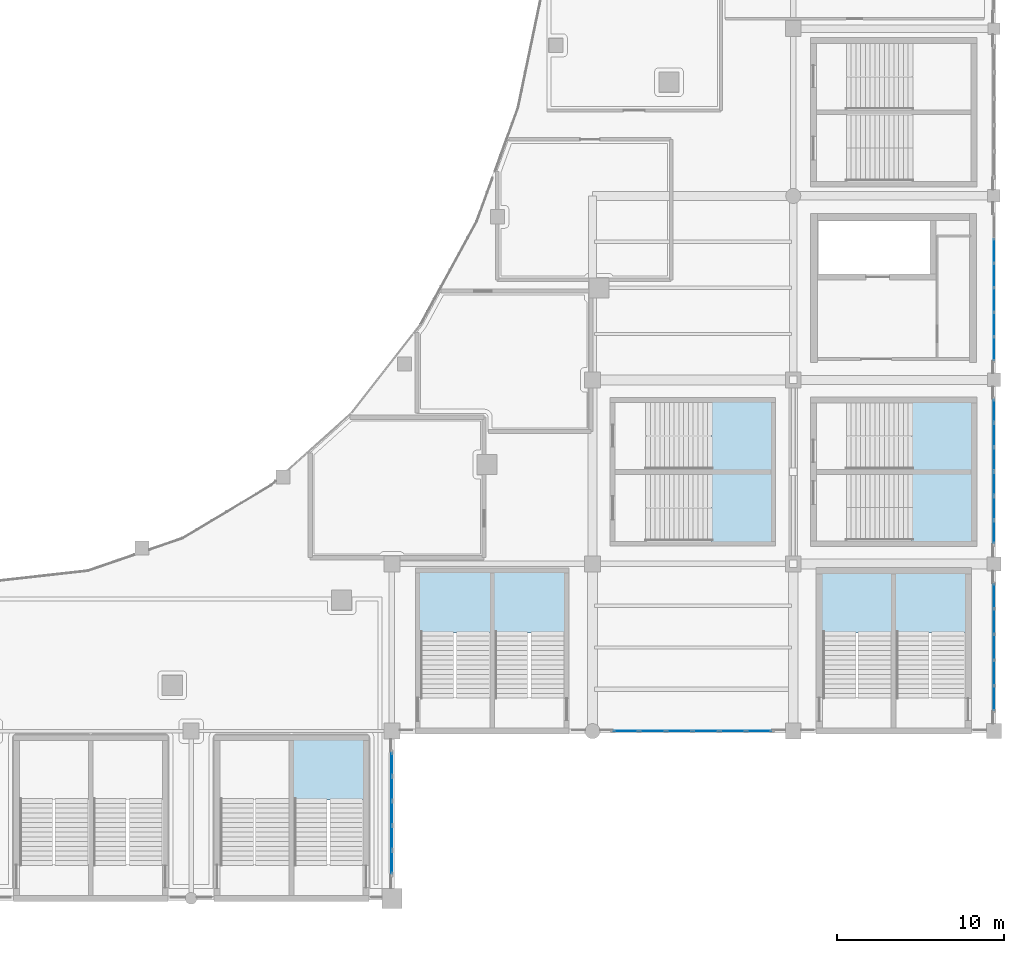
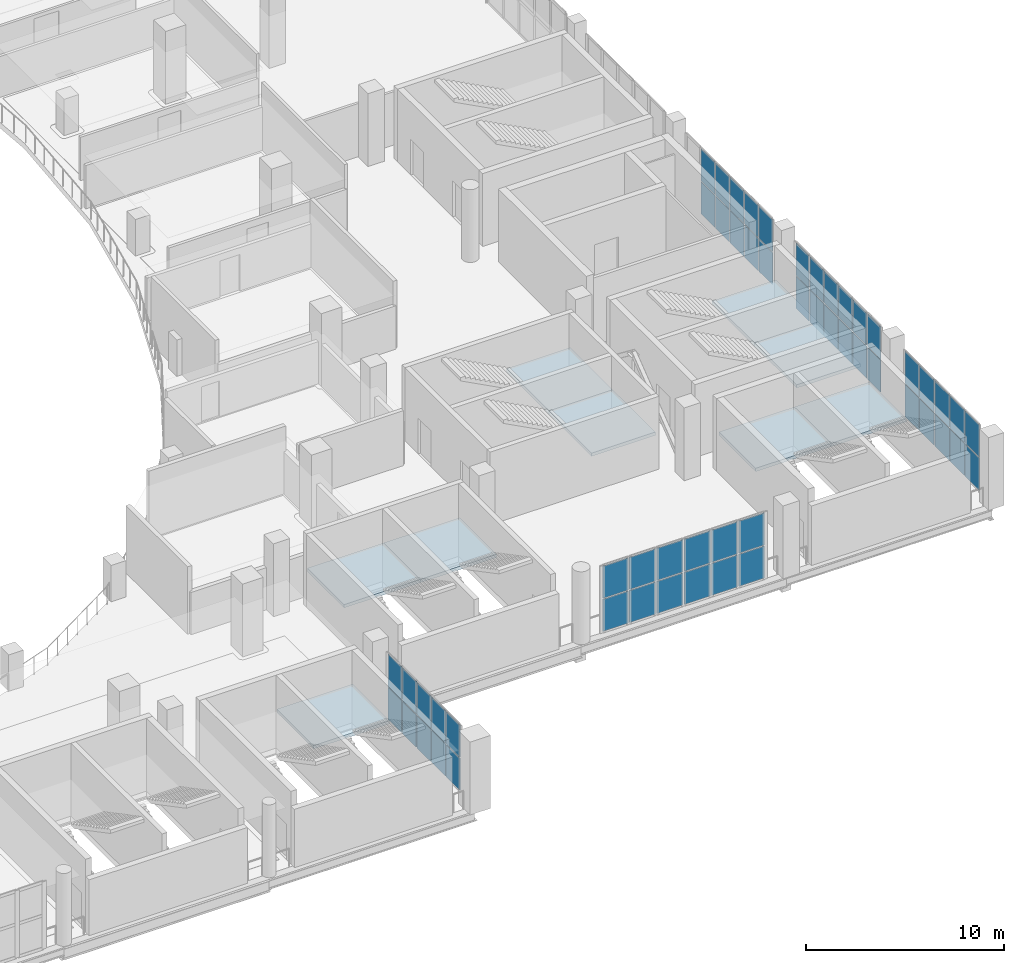
# One storey, part 56 of 90: 54 plates, 9 slabs, 14 elements without a shape of their own.
"""IFC4 building model written with IfcOpenShell, lengths in metres."""

import ifcopenshell
import ifcopenshell.guid

model = None  # the IFC model being written
_history = None  # IfcOwnerHistory: only IFC2X3 demands one
_inside = {}  # id of a spatial element -> (the spatial element, [elements in it])
_under = {}  # id of a project, library or spatial element -> (it, [spatial elements below it])
_declared = {}  # id of a project -> (the project, [libraries it declares])
_typed = {}  # id of a type object -> (the type object, [elements of that type])
_made_of = {}  # id of a material, layer set ... -> (it, [elements and type objects made of it])


def new_model(schema):
    """Start an empty IFC model of exactly this schema.

    Asked for "IFC4X3", IfcOpenShell would pick the latest addendum, in which some entities
    have other attributes; the version numbers below select the first issue.
    IFC2X3 requires an IfcOwnerHistory on every rooted entity: one is made here for all.
    """
    global model, _history
    if schema == "IFC4X3":
        model = ifcopenshell.file(schema_version=(4, 3, 0, 0))
    else:
        model = ifcopenshell.file(schema=schema)
    _inside.clear()
    _under.clear()
    _declared.clear()
    _typed.clear()
    _made_of.clear()
    _history = None
    if model.schema == "IFC2X3":
        org = make("IfcOrganization", Name="unknown")
        user = make(
            "IfcPersonAndOrganization",
            ThePerson=make("IfcPerson", FamilyName="unknown"),
            TheOrganization=org,
        )
        app = make(
            "IfcApplication",
            ApplicationDeveloper=org,
            Version="unknown",
            ApplicationFullName="unknown",
            ApplicationIdentifier="unknown",
        )
        _history = make(
            "IfcOwnerHistory",
            OwningUser=user,
            OwningApplication=app,
            ChangeAction="ADDED",
            CreationDate=0,
        )
    return model


def make(cls, **values):
    """One entity of the class cls with the attributes given. An attribute that is None is left unset."""
    return model.create_entity(
        cls, **{name: value for name, value in values.items() if value is not None}
    )


def rooted(cls, **values):
    """An entity with a GlobalId (a new one), such as an element, a storey or a relation."""
    return make(cls, GlobalId=ifcopenshell.guid.new(), OwnerHistory=_history, **values)


def si_unit(unit_type, name, prefix=None):
    """IfcSIUnit, for example si_unit("LENGTHUNIT", "METRE", prefix="MILLI")."""
    return make("IfcSIUnit", UnitType=unit_type, Prefix=prefix, Name=name)


def assignment(units):
    """IfcUnitAssignment: the units of a project."""
    return None if units is None else make("IfcUnitAssignment", Units=units)


def point(xyz):
    """IfcCartesianPoint."""
    return None if xyz is None else make("IfcCartesianPoint", Coordinates=xyz)


def direction(xyz):
    """IfcDirection."""
    return None if xyz is None else make("IfcDirection", DirectionRatios=xyz)


def frame(location, z_axis=None, x_axis=None):
    """IfcAxis2Placement3D, a coordinate frame: its origin and axes. An axis left out is left unset."""
    return make(
        "IfcAxis2Placement3D",
        Location=point(location),
        Axis=direction(z_axis),
        RefDirection=direction(x_axis),
    )


def frame_2d(location, x_axis=None):
    """IfcAxis2Placement2D, a coordinate frame in the plane: its origin and x axis."""
    return make(
        "IfcAxis2Placement2D", Location=point(location), RefDirection=direction(x_axis)
    )


def origin():
    """The frame at (0, 0, 0) with its axes left unset."""
    return frame((0.0, 0.0, 0.0))


def origin_2d():
    """The frame at (0, 0) in the plane with its x axis left unset."""
    return frame_2d((0.0, 0.0))


def place(relative_to, where):
    """IfcLocalPlacement: puts the frame where relative to a parent placement (None: the world)."""
    return make(
        "IfcLocalPlacement", PlacementRelTo=relative_to, RelativePlacement=where
    )


def context(
    kind, dimensions, precision=None, world=None, true_north=None, identifier=None
):
    """IfcGeometricRepresentationContext, for example the 3D "Model" context."""
    return make(
        "IfcGeometricRepresentationContext",
        ContextIdentifier=identifier,
        ContextType=kind,
        CoordinateSpaceDimension=dimensions,
        Precision=precision,
        WorldCoordinateSystem=world,
        TrueNorth=true_north,
    )


def subcontext(parent, identifier, kind, view, scale=None):
    """IfcGeometricRepresentationSubContext, for example "Body" below "Model"."""
    return make(
        "IfcGeometricRepresentationSubContext",
        ContextIdentifier=identifier,
        ContextType=kind,
        ParentContext=parent,
        TargetScale=scale,
        TargetView=view,
    )


def project(units=None, contexts=None):
    """IfcProject with its units and contexts."""
    return rooted(
        "IfcProject",
        Name="project",
        RepresentationContexts=contexts,
        UnitsInContext=assignment(units),
    )


def spatial(cls, under=None, at=None, **own):
    """A site, building, storey or space (cls), placed at a placement, below another one or the project."""
    s = rooted(cls, ObjectPlacement=at, **own)
    if under is not None:
        _under.setdefault(under.id(), (under, []))[1].append(s)
    return s


def polyline(points):
    """IfcPolyline through the points."""
    return make("IfcPolyline", Points=[point(p) for p in points])


def profile(cls, at=None, kind="AREA", **sizes):
    """A parametric profile (cls). Its sizes go by their IFC names, for example OverallWidth=200.0."""
    return make(cls, ProfileType=kind, Position=at, **sizes)


def rectangle(**sizes):
    """IfcRectangleProfileDef."""
    return profile("IfcRectangleProfileDef", **sizes)


def outline(outer, holes=None, kind="AREA"):
    """IfcArbitraryClosedProfileDef: a profile drawn as a closed curve; with holes, ...WithVoids."""
    if holes is None:
        return make("IfcArbitraryClosedProfileDef", ProfileType=kind, OuterCurve=outer)
    return make(
        "IfcArbitraryProfileDefWithVoids",
        ProfileType=kind,
        OuterCurve=outer,
        InnerCurves=holes,
    )


def extrude(swept, where, along, depth):
    """IfcExtrudedAreaSolid: the profile swept, set in the frame where, extruded along a direction by depth."""
    return make(
        "IfcExtrudedAreaSolid",
        SweptArea=swept,
        Position=where,
        ExtrudedDirection=direction(along),
        Depth=depth,
    )


def shape(context_of_items, identifier, shape_type, items):
    """IfcShapeRepresentation: the items that make up one representation, for example the "Body"."""
    return make(
        "IfcShapeRepresentation",
        ContextOfItems=context_of_items,
        RepresentationIdentifier=identifier,
        RepresentationType=shape_type,
        Items=items,
    )


def material(Name=None, Category=None):
    """IfcMaterial."""
    return make("IfcMaterial", Name=Name, Category=Category)


def layer(
    of_material, thickness, ventilated=None, Name=None, Category=None, Priority=None
):
    """IfcMaterialLayer: one layer of a wall or slab, of a material (None: an air gap)."""
    return make(
        "IfcMaterialLayer",
        Material=of_material,
        LayerThickness=thickness,
        IsVentilated=ventilated,
        Name=Name,
        Category=Category,
        Priority=Priority,
    )


def layer_set(layers, Name=None):
    """IfcMaterialLayerSet."""
    return make("IfcMaterialLayerSet", MaterialLayers=layers, LayerSetName=Name)


def made_of(thing, what):
    """Note that an element or type object is made of a material, layer set ...; save() writes the relation."""
    if what is not None:
        _made_of.setdefault(what.id(), (what, []))[1].append(thing)
    return thing


def type_object(cls, material=None, **own):
    """A type object (cls), such as IfcWallType, which elements share."""
    return made_of(rooted(cls, **own), material)


def element(
    cls,
    number,
    at=None,
    inside=None,
    cuts=None,
    type_object=None,
    material=None,
    context=None,
    identifier="Body",
    shape_type=None,
    held_by="IfcProductDefinitionShape",
    body=None,
    shapes=None,
    **own,
):
    """One element of the class cls, such as IfcWall. Its Tag is "e" and its number.

    at: its placement. inside: the storey or other place that contains it. cuts: it is an
    opening in that element (IfcRelVoidsElement). A single representation is given by context,
    identifier, shape_type and body (its items); several are given by shapes. held_by: the class
    of the entity that holds the representations. save() writes the other relations.
    """
    e = rooted(cls, Tag="e%d" % number, ObjectPlacement=at, **own)
    if body is not None:
        shapes = [shape(context, identifier, shape_type, body)]
    if shapes is not None:
        e.Representation = make(held_by, Representations=shapes)
    if inside is not None:
        _inside.setdefault(inside.id(), (inside, []))[1].append(e)
    if cuts is not None:
        rooted(
            "IfcRelVoidsElement", RelatingBuildingElement=cuts, RelatedOpeningElement=e
        )
    if type_object is not None:
        _typed.setdefault(type_object.id(), (type_object, []))[1].append(e)
    return made_of(e, material)


def aggregate(whole, parts):
    """IfcRelAggregates: a whole, such as a stair, and the parts it consists of."""
    return rooted("IfcRelAggregates", RelatingObject=whole, RelatedObjects=parts)


def save(model, path):
    """Write the relations noted so far, then the file.

    IfcRelAggregates (storeys below a building ...), IfcRelContainedInSpatialStructure (elements
    in a storey), IfcRelDefinesByType, IfcRelAssociatesMaterial and IfcRelDeclares: one each for
    every whole, place, type object, material and project.
    """
    for whole, parts in _under.values():
        aggregate(whole, parts)
    for where, things in _inside.values():
        rooted(
            "IfcRelContainedInSpatialStructure",
            RelatedElements=things,
            RelatingStructure=where,
        )
    for kind, things in _typed.values():
        rooted("IfcRelDefinesByType", RelatedObjects=things, RelatingType=kind)
    for what, things in _made_of.values():
        rooted("IfcRelAssociatesMaterial", RelatedObjects=things, RelatingMaterial=what)
    for by, libraries in _declared.values():
        rooted("IfcRelDeclares", RelatingContext=by, RelatedDefinitions=libraries)
    model.write(path)


model = new_model("IFC4")

# Units and contexts
model_context = context("Model", 3, precision=1e-05, world=origin(), true_north=direction((0.0, 1.0)))
body_context = subcontext(model_context, "Body", "Model", "MODEL_VIEW")
ifc_project = project(units=[si_unit("LENGTHUNIT", "METRE"), si_unit("AREAUNIT", "SQUARE_METRE"), si_unit("VOLUMEUNIT", "CUBIC_METRE"), si_unit("PLANEANGLEUNIT", "RADIAN"), si_unit("MASSUNIT", "GRAM", prefix="KILO")], contexts=[model_context])

# Site, building, storey
site_placement = place(None, origin())
site = spatial("IfcSite", under=ifc_project, at=site_placement, CompositionType="ELEMENT")
building_placement = place(site_placement, origin())
building = spatial("IfcBuilding", under=site, at=building_placement, Name="Brinegate Civic Arena", CompositionType="ELEMENT")
storey_placement = place(building_placement, frame((0.0, 0.0, 14.699951171875)))
storey = spatial("IfcBuildingStorey", under=building, at=storey_placement, Name="L03", CompositionType="ELEMENT", Elevation=14.699951171875)

# Curtain wall, plates
ifc_material_1 = material(Name="Marine grade aluminium", Category="aluminium")
ifc_layer_1 = layer(ifc_material_1, 0.199951171875, Name="Marine grade aluminium")
ifc_layer_set_1 = layer_set([ifc_layer_1], Name="Marine grade aluminium")
curtain_wall_type_1 = type_object("IfcCurtainWallType", Name="CW-BOWL-GLAZED-01", PredefinedType="USERDEFINED", material=ifc_layer_set_1)
curtain_wall_1_placement = place(storey_placement, origin())
curtain_wall_1 = element("IfcCurtainWall", 1, at=curtain_wall_1_placement, inside=storey, type_object=curtain_wall_type_1, Name="Curtain Wall CWA-104", ObjectType="GLAZED CURTAIN WALL", PredefinedType="USERDEFINED")
ifc_material_2 = material(Name="Hurricane laminated low-E glass", Category="glass")
ifc_layer_2 = layer(ifc_material_2, 0.028076171875, Name="Hurricane laminated low-E glass")
ifc_layer_set_2 = layer_set([ifc_layer_2], Name="Hurricane laminated low-E glass")
plate_type_1 = type_object("IfcPlateType", Name="CW-PANEL-GLAZED-28", PredefinedType="CURTAIN_PANEL", material=ifc_layer_set_2)
plate_1_placement = place(storey_placement, frame((168.0, 11.968505859375, 0.065185546875), z_axis=(0.0, 0.0, 1.0), x_axis=(0.0, 1.0, 0.0)))
plate_1 = element("IfcPlate", 2, at=plate_1_placement, type_object=plate_type_1, Name="CWA-104 panel 1.1", PredefinedType="CURTAIN_PANEL", context=body_context, shape_type="SweptSolid", body=[
    extrude(rectangle(XDim=1.43505859375, YDim=0.028076171875, at=origin_2d()), origin(), (0.0, 0.0, 1.0), 1.982421875),
])
plate_2_placement = place(storey_placement, frame((168.0, 11.968505859375, 2.112548828125), z_axis=(0.0, 0.0, 1.0), x_axis=(0.0, 1.0, 0.0)))
plate_2 = element("IfcPlate", 3, at=plate_2_placement, type_object=plate_type_1, Name="CWA-104 panel 1.2", PredefinedType="CURTAIN_PANEL", context=body_context, shape_type="SweptSolid", body=[
    extrude(rectangle(XDim=1.43505859375, YDim=0.028076171875, at=origin_2d()), origin(), (0.0, 0.0, 1.0), 1.982421875),
])
plate_3_placement = place(storey_placement, frame((168.0, 13.48486328125, 0.065185546875), z_axis=(0.0, 0.0, 1.0), x_axis=(0.0, 1.0, 0.0)))
plate_3 = element("IfcPlate", 4, at=plate_3_placement, type_object=plate_type_1, Name="CWA-104 panel 2.1", PredefinedType="CURTAIN_PANEL", context=body_context, shape_type="SweptSolid", body=[
    extrude(rectangle(XDim=1.467529296875, YDim=0.028076171875, at=origin_2d()), origin(), (0.0, 0.0, 1.0), 1.982421875),
])
plate_4_placement = place(storey_placement, frame((168.0, 13.48486328125, 2.112548828125), z_axis=(0.0, 0.0, 1.0), x_axis=(0.0, 1.0, 0.0)))
plate_4 = element("IfcPlate", 5, at=plate_4_placement, type_object=plate_type_1, Name="CWA-104 panel 2.2", PredefinedType="CURTAIN_PANEL", context=body_context, shape_type="SweptSolid", body=[
    extrude(rectangle(XDim=1.467529296875, YDim=0.028076171875, at=origin_2d()), origin(), (0.0, 0.0, 1.0), 1.982421875),
])
plate_5_placement = place(storey_placement, frame((168.0, 15.017578125, 0.065185546875), z_axis=(0.0, 0.0, 1.0), x_axis=(0.0, 1.0, 0.0)))
plate_5 = element("IfcPlate", 6, at=plate_5_placement, type_object=plate_type_1, Name="CWA-104 panel 3.1", PredefinedType="CURTAIN_PANEL", context=body_context, shape_type="SweptSolid", body=[
    extrude(rectangle(XDim=1.467529296875, YDim=0.028076171875, at=origin_2d()), origin(), (0.0, 0.0, 1.0), 1.982421875),
])
plate_6_placement = place(storey_placement, frame((168.0, 15.017578125, 2.112548828125), z_axis=(0.0, 0.0, 1.0), x_axis=(0.0, 1.0, 0.0)))
plate_6 = element("IfcPlate", 7, at=plate_6_placement, type_object=plate_type_1, Name="CWA-104 panel 3.2", PredefinedType="CURTAIN_PANEL", context=body_context, shape_type="SweptSolid", body=[
    extrude(rectangle(XDim=1.467529296875, YDim=0.028076171875, at=origin_2d()), origin(), (0.0, 0.0, 1.0), 1.982421875),
])
plate_7_placement = place(storey_placement, frame((168.0, 16.550048828125, 0.065185546875), z_axis=(0.0, 0.0, 1.0), x_axis=(0.0, 1.0, 0.0)))
plate_7 = element("IfcPlate", 8, at=plate_7_placement, type_object=plate_type_1, Name="CWA-104 panel 4.1", PredefinedType="CURTAIN_PANEL", context=body_context, shape_type="SweptSolid", body=[
    extrude(rectangle(XDim=1.467529296875, YDim=0.028076171875, at=origin_2d()), origin(), (0.0, 0.0, 1.0), 1.982421875),
])
plate_8_placement = place(storey_placement, frame((168.0, 16.550048828125, 2.112548828125), z_axis=(0.0, 0.0, 1.0), x_axis=(0.0, 1.0, 0.0)))
plate_8 = element("IfcPlate", 9, at=plate_8_placement, type_object=plate_type_1, Name="CWA-104 panel 4.2", PredefinedType="CURTAIN_PANEL", context=body_context, shape_type="SweptSolid", body=[
    extrude(rectangle(XDim=1.467529296875, YDim=0.028076171875, at=origin_2d()), origin(), (0.0, 0.0, 1.0), 1.982421875),
])
plate_9_placement = place(storey_placement, frame((168.0, 18.06640625, 0.065185546875), z_axis=(0.0, 0.0, 1.0), x_axis=(0.0, 1.0, 0.0)))
plate_9 = element("IfcPlate", 10, at=plate_9_placement, type_object=plate_type_1, Name="CWA-104 panel 5.1", PredefinedType="CURTAIN_PANEL", context=body_context, shape_type="SweptSolid", body=[
    extrude(rectangle(XDim=1.43505859375, YDim=0.028076171875, at=origin_2d()), origin(), (0.0, 0.0, 1.0), 1.982421875),
])
plate_10_placement = place(storey_placement, frame((168.0, 18.06640625, 2.112548828125), z_axis=(0.0, 0.0, 1.0), x_axis=(0.0, 1.0, 0.0)))
plate_10 = element("IfcPlate", 11, at=plate_10_placement, type_object=plate_type_1, Name="CWA-104 panel 5.2", PredefinedType="CURTAIN_PANEL", context=body_context, shape_type="SweptSolid", body=[
    extrude(rectangle(XDim=1.43505859375, YDim=0.028076171875, at=origin_2d()), origin(), (0.0, 0.0, 1.0), 1.982421875),
])
aggregate(curtain_wall_1, [plate_1, plate_2, plate_3, plate_4, plate_5, plate_6, plate_7, plate_8, plate_9, plate_10])

curtain_wall_2_placement = place(storey_placement, origin())
curtain_wall_2 = element("IfcCurtainWall", 12, at=curtain_wall_2_placement, inside=storey, type_object=curtain_wall_type_1, Name="Curtain Wall CWA-108", ObjectType="GLAZED CURTAIN WALL", PredefinedType="USERDEFINED")
plate_11_placement = place(storey_placement, frame((168.0, 32.865966796875, 0.065185546875), z_axis=(0.0, 0.0, 1.0), x_axis=(0.0, 1.0, 0.0)))
plate_11 = element("IfcPlate", 13, at=plate_11_placement, type_object=plate_type_1, Name="CWA-108 panel 1.1", PredefinedType="CURTAIN_PANEL", context=body_context, shape_type="SweptSolid", body=[
    extrude(rectangle(XDim=1.369873046875, YDim=0.028076171875, at=origin_2d()), origin(), (0.0, 0.0, 1.0), 1.982421875),
])
plate_12_placement = place(storey_placement, frame((168.0, 32.865966796875, 2.112548828125), z_axis=(0.0, 0.0, 1.0), x_axis=(0.0, 1.0, 0.0)))
plate_12 = element("IfcPlate", 14, at=plate_12_placement, type_object=plate_type_1, Name="CWA-108 panel 1.2", PredefinedType="CURTAIN_PANEL", context=body_context, shape_type="SweptSolid", body=[
    extrude(rectangle(XDim=1.369873046875, YDim=0.028076171875, at=origin_2d()), origin(), (0.0, 0.0, 1.0), 1.982421875),
])
plate_13_placement = place(storey_placement, frame((168.0, 34.31689453125, 0.065185546875), z_axis=(0.0, 0.0, 1.0), x_axis=(0.0, 1.0, 0.0)))
plate_13 = element("IfcPlate", 15, at=plate_13_placement, type_object=plate_type_1, Name="CWA-108 panel 2.1", PredefinedType="CURTAIN_PANEL", context=body_context, shape_type="SweptSolid", body=[
    extrude(rectangle(XDim=1.40234375, YDim=0.028076171875, at=origin_2d()), origin(), (0.0, 0.0, 1.0), 1.982421875),
])
plate_14_placement = place(storey_placement, frame((168.0, 34.31689453125, 2.112548828125), z_axis=(0.0, 0.0, 1.0), x_axis=(0.0, 1.0, 0.0)))
plate_14 = element("IfcPlate", 16, at=plate_14_placement, type_object=plate_type_1, Name="CWA-108 panel 2.2", PredefinedType="CURTAIN_PANEL", context=body_context, shape_type="SweptSolid", body=[
    extrude(rectangle(XDim=1.40234375, YDim=0.028076171875, at=origin_2d()), origin(), (0.0, 0.0, 1.0), 1.982421875),
])
plate_15_placement = place(storey_placement, frame((168.0, 35.784423828125, 0.065185546875), z_axis=(0.0, 0.0, 1.0), x_axis=(0.0, 1.0, 0.0)))
plate_15 = element("IfcPlate", 17, at=plate_15_placement, type_object=plate_type_1, Name="CWA-108 panel 3.1", PredefinedType="CURTAIN_PANEL", context=body_context, shape_type="SweptSolid", body=[
    extrude(rectangle(XDim=1.40234375, YDim=0.028076171875, at=origin_2d()), origin(), (0.0, 0.0, 1.0), 1.982421875),
])
plate_16_placement = place(storey_placement, frame((168.0, 35.784423828125, 2.112548828125), z_axis=(0.0, 0.0, 1.0), x_axis=(0.0, 1.0, 0.0)))
plate_16 = element("IfcPlate", 18, at=plate_16_placement, type_object=plate_type_1, Name="CWA-108 panel 3.2", PredefinedType="CURTAIN_PANEL", context=body_context, shape_type="SweptSolid", body=[
    extrude(rectangle(XDim=1.40234375, YDim=0.028076171875, at=origin_2d()), origin(), (0.0, 0.0, 1.0), 1.982421875),
])
plate_17_placement = place(storey_placement, frame((168.0, 37.251708984375, 0.065185546875), z_axis=(0.0, 0.0, 1.0), x_axis=(0.0, 1.0, 0.0)))
plate_17 = element("IfcPlate", 19, at=plate_17_placement, type_object=plate_type_1, Name="CWA-108 panel 4.1", PredefinedType="CURTAIN_PANEL", context=body_context, shape_type="SweptSolid", body=[
    extrude(rectangle(XDim=1.40234375, YDim=0.028076171875, at=origin_2d()), origin(), (0.0, 0.0, 1.0), 1.982421875),
])
plate_18_placement = place(storey_placement, frame((168.0, 37.251708984375, 2.112548828125), z_axis=(0.0, 0.0, 1.0), x_axis=(0.0, 1.0, 0.0)))
plate_18 = element("IfcPlate", 20, at=plate_18_placement, type_object=plate_type_1, Name="CWA-108 panel 4.2", PredefinedType="CURTAIN_PANEL", context=body_context, shape_type="SweptSolid", body=[
    extrude(rectangle(XDim=1.40234375, YDim=0.028076171875, at=origin_2d()), origin(), (0.0, 0.0, 1.0), 1.982421875),
])
plate_19_placement = place(storey_placement, frame((168.0, 38.718994140625, 0.065185546875), z_axis=(0.0, 0.0, 1.0), x_axis=(0.0, 1.0, 0.0)))
plate_19 = element("IfcPlate", 21, at=plate_19_placement, type_object=plate_type_1, Name="CWA-108 panel 5.1", PredefinedType="CURTAIN_PANEL", context=body_context, shape_type="SweptSolid", body=[
    extrude(rectangle(XDim=1.40234375, YDim=0.028076171875, at=origin_2d()), origin(), (0.0, 0.0, 1.0), 1.982421875),
])
plate_20_placement = place(storey_placement, frame((168.0, 38.718994140625, 2.112548828125), z_axis=(0.0, 0.0, 1.0), x_axis=(0.0, 1.0, 0.0)))
plate_20 = element("IfcPlate", 22, at=plate_20_placement, type_object=plate_type_1, Name="CWA-108 panel 5.2", PredefinedType="CURTAIN_PANEL", context=body_context, shape_type="SweptSolid", body=[
    extrude(rectangle(XDim=1.40234375, YDim=0.028076171875, at=origin_2d()), origin(), (0.0, 0.0, 1.0), 1.982421875),
])
aggregate(curtain_wall_2, [plate_11, plate_12, plate_13, plate_14, plate_15, plate_16, plate_17, plate_18, plate_19, plate_20])

curtain_wall_3_placement = place(storey_placement, origin())
curtain_wall_3 = element("IfcCurtainWall", 23, at=curtain_wall_3_placement, inside=storey, type_object=curtain_wall_type_1, Name="Curtain Wall CWA-106", ObjectType="GLAZED CURTAIN WALL", PredefinedType="USERDEFINED")
ifc_layer_3 = layer(ifc_material_2, 0.035888671875, Name="Hurricane laminated low-E glass")
ifc_layer_set_3 = layer_set([ifc_layer_3], Name="Hurricane laminated low-E glass")
plate_type_2 = type_object("IfcPlateType", Name="CW-PANEL-GLAZED-36", PredefinedType="CURTAIN_PANEL", material=ifc_layer_set_3)
plate_21_placement = place(storey_placement, frame((168.0, 21.8974609375, 0.0751953125), z_axis=(0.0, 0.0, 1.0), x_axis=(0.0, 1.0, 0.0)))
plate_21 = element("IfcPlate", 24, at=plate_21_placement, type_object=plate_type_2, Name="CWA-106 panel 1.1", PredefinedType="CURTAIN_PANEL", context=body_context, shape_type="SweptSolid", body=[
    extrude(rectangle(XDim=1.343017578125, YDim=0.035888671875, at=origin_2d()), origin(), (0.0, 0.0, 1.0), 1.967529296875),
])
plate_22_placement = place(storey_placement, frame((168.0, 21.8974609375, 2.11767578125), z_axis=(0.0, 0.0, 1.0), x_axis=(0.0, 1.0, 0.0)))
plate_22 = element("IfcPlate", 25, at=plate_22_placement, type_object=plate_type_2, Name="CWA-106 panel 1.2", PredefinedType="CURTAIN_PANEL", context=body_context, shape_type="SweptSolid", body=[
    extrude(rectangle(XDim=1.343017578125, YDim=0.035888671875, at=origin_2d()), origin(), (0.0, 0.0, 1.0), 1.967529296875),
])
plate_23_placement = place(storey_placement, frame((168.0, 23.334228515625, 0.0751953125), z_axis=(0.0, 0.0, 1.0), x_axis=(0.0, 1.0, 0.0)))
plate_23 = element("IfcPlate", 26, at=plate_23_placement, type_object=plate_type_2, Name="CWA-106 panel 2.1", PredefinedType="CURTAIN_PANEL", context=body_context, shape_type="SweptSolid", body=[
    extrude(rectangle(XDim=1.380615234375, YDim=0.035888671875, at=origin_2d()), origin(), (0.0, 0.0, 1.0), 1.967529296875),
])
plate_24_placement = place(storey_placement, frame((168.0, 23.334228515625, 2.11767578125), z_axis=(0.0, 0.0, 1.0), x_axis=(0.0, 1.0, 0.0)))
plate_24 = element("IfcPlate", 27, at=plate_24_placement, type_object=plate_type_2, Name="CWA-106 panel 2.2", PredefinedType="CURTAIN_PANEL", context=body_context, shape_type="SweptSolid", body=[
    extrude(rectangle(XDim=1.380615234375, YDim=0.035888671875, at=origin_2d()), origin(), (0.0, 0.0, 1.0), 1.967529296875),
])
plate_25_placement = place(storey_placement, frame((168.0, 24.789794921875, 0.0751953125), z_axis=(0.0, 0.0, 1.0), x_axis=(0.0, 1.0, 0.0)))
plate_25 = element("IfcPlate", 28, at=plate_25_placement, type_object=plate_type_2, Name="CWA-106 panel 3.1", PredefinedType="CURTAIN_PANEL", context=body_context, shape_type="SweptSolid", body=[
    extrude(rectangle(XDim=1.380615234375, YDim=0.035888671875, at=origin_2d()), origin(), (0.0, 0.0, 1.0), 1.967529296875),
])
plate_26_placement = place(storey_placement, frame((168.0, 24.789794921875, 2.11767578125), z_axis=(0.0, 0.0, 1.0), x_axis=(0.0, 1.0, 0.0)))
plate_26 = element("IfcPlate", 29, at=plate_26_placement, type_object=plate_type_2, Name="CWA-106 panel 3.2", PredefinedType="CURTAIN_PANEL", context=body_context, shape_type="SweptSolid", body=[
    extrude(rectangle(XDim=1.380615234375, YDim=0.035888671875, at=origin_2d()), origin(), (0.0, 0.0, 1.0), 1.967529296875),
])
plate_27_placement = place(storey_placement, frame((168.0, 26.245361328125, 0.0751953125), z_axis=(0.0, 0.0, 1.0), x_axis=(0.0, 1.0, 0.0)))
plate_27 = element("IfcPlate", 30, at=plate_27_placement, type_object=plate_type_2, Name="CWA-106 panel 4.1", PredefinedType="CURTAIN_PANEL", context=body_context, shape_type="SweptSolid", body=[
    extrude(rectangle(XDim=1.380615234375, YDim=0.035888671875, at=origin_2d()), origin(), (0.0, 0.0, 1.0), 1.967529296875),
])
plate_28_placement = place(storey_placement, frame((168.0, 26.245361328125, 2.11767578125), z_axis=(0.0, 0.0, 1.0), x_axis=(0.0, 1.0, 0.0)))
plate_28 = element("IfcPlate", 31, at=plate_28_placement, type_object=plate_type_2, Name="CWA-106 panel 4.2", PredefinedType="CURTAIN_PANEL", context=body_context, shape_type="SweptSolid", body=[
    extrude(rectangle(XDim=1.380615234375, YDim=0.035888671875, at=origin_2d()), origin(), (0.0, 0.0, 1.0), 1.967529296875),
])
plate_29_placement = place(storey_placement, frame((168.0, 27.70068359375, 0.0751953125), z_axis=(0.0, 0.0, 1.0), x_axis=(0.0, 1.0, 0.0)))
plate_29 = element("IfcPlate", 32, at=plate_29_placement, type_object=plate_type_2, Name="CWA-106 panel 5.1", PredefinedType="CURTAIN_PANEL", context=body_context, shape_type="SweptSolid", body=[
    extrude(rectangle(XDim=1.380615234375, YDim=0.035888671875, at=origin_2d()), origin(), (0.0, 0.0, 1.0), 1.967529296875),
])
plate_30_placement = place(storey_placement, frame((168.0, 27.70068359375, 2.11767578125), z_axis=(0.0, 0.0, 1.0), x_axis=(0.0, 1.0, 0.0)))
plate_30 = element("IfcPlate", 33, at=plate_30_placement, type_object=plate_type_2, Name="CWA-106 panel 5.2", PredefinedType="CURTAIN_PANEL", context=body_context, shape_type="SweptSolid", body=[
    extrude(rectangle(XDim=1.380615234375, YDim=0.035888671875, at=origin_2d()), origin(), (0.0, 0.0, 1.0), 1.967529296875),
])
plate_31_placement = place(storey_placement, frame((168.0, 29.137451171875, 0.0751953125), z_axis=(0.0, 0.0, 1.0), x_axis=(0.0, 1.0, 0.0)))
plate_31 = element("IfcPlate", 34, at=plate_31_placement, type_object=plate_type_2, Name="CWA-106 panel 6.1", PredefinedType="CURTAIN_PANEL", context=body_context, shape_type="SweptSolid", body=[
    extrude(rectangle(XDim=1.343017578125, YDim=0.035888671875, at=origin_2d()), origin(), (0.0, 0.0, 1.0), 1.967529296875),
])
plate_32_placement = place(storey_placement, frame((168.0, 29.137451171875, 2.11767578125), z_axis=(0.0, 0.0, 1.0), x_axis=(0.0, 1.0, 0.0)))
plate_32 = element("IfcPlate", 35, at=plate_32_placement, type_object=plate_type_2, Name="CWA-106 panel 6.2", PredefinedType="CURTAIN_PANEL", context=body_context, shape_type="SweptSolid", body=[
    extrude(rectangle(XDim=1.343017578125, YDim=0.035888671875, at=origin_2d()), origin(), (0.0, 0.0, 1.0), 1.967529296875),
])
aggregate(curtain_wall_3, [plate_21, plate_22, plate_23, plate_24, plate_25, plate_26, plate_27, plate_28, plate_29, plate_30, plate_31, plate_32])

ifc_layer_4 = layer(ifc_material_1, 0.25, Name="Marine grade aluminium")
ifc_layer_set_4 = layer_set([ifc_layer_4], Name="Marine grade aluminium")
curtain_wall_type_2 = type_object("IfcCurtainWallType", Name="CW-PORTAL-SOUTH-02", PredefinedType="USERDEFINED", material=ifc_layer_set_4)
curtain_wall_4_placement = place(storey_placement, origin())
curtain_wall_4 = element("IfcCurtainWall", 36, at=curtain_wall_4_placement, inside=storey, type_object=curtain_wall_type_2, Name="Curtain Wall CWA-131", ObjectType="PORTAL CURTAIN WALL", PredefinedType="USERDEFINED")
ifc_layer_5 = layer(ifc_material_2, 0.0419921875, Name="Hurricane laminated low-E glass")
ifc_layer_set_5 = layer_set([ifc_layer_5], Name="Hurricane laminated low-E glass")
plate_type_3 = type_object("IfcPlateType", Name="CW-PANEL-SPANDREL-42", PredefinedType="CURTAIN_PANEL", material=ifc_layer_set_5)
plate_33_placement = place(storey_placement, frame((132.0, 2.156982421875, 0.065185546875), z_axis=(0.0, 0.0, 1.0), x_axis=(0.0, 1.0, 0.0)))
plate_33 = element("IfcPlate", 37, at=plate_33_placement, type_object=plate_type_3, Name="CWA-131 panel 1.1", PredefinedType="CURTAIN_PANEL", context=body_context, shape_type="SweptSolid", body=[
    extrude(rectangle(XDim=1.355712890625, YDim=0.0419921875, at=origin_2d()), origin(), (0.0, 0.0, 1.0), 1.982421875),
])
plate_34_placement = place(storey_placement, frame((132.0, 2.156982421875, 2.112548828125), z_axis=(0.0, 0.0, 1.0), x_axis=(0.0, 1.0, 0.0)))
plate_34 = element("IfcPlate", 38, at=plate_34_placement, type_object=plate_type_3, Name="CWA-131 panel 1.2", PredefinedType="CURTAIN_PANEL", context=body_context, shape_type="SweptSolid", body=[
    extrude(rectangle(XDim=1.355712890625, YDim=0.0419921875, at=origin_2d()), origin(), (0.0, 0.0, 1.0), 1.982421875),
])
plate_35_placement = place(storey_placement, frame((132.0, 3.61279296875, 0.065185546875), z_axis=(0.0, 0.0, 1.0), x_axis=(0.0, 1.0, 0.0)))
plate_35 = element("IfcPlate", 39, at=plate_35_placement, type_object=plate_type_3, Name="CWA-131 panel 2.1", PredefinedType="CURTAIN_PANEL", context=body_context, shape_type="SweptSolid", body=[
    extrude(rectangle(XDim=1.395751953125, YDim=0.0419921875, at=origin_2d()), origin(), (0.0, 0.0, 1.0), 1.982421875),
])
plate_36_placement = place(storey_placement, frame((132.0, 3.61279296875, 2.112548828125), z_axis=(0.0, 0.0, 1.0), x_axis=(0.0, 1.0, 0.0)))
plate_36 = element("IfcPlate", 40, at=plate_36_placement, type_object=plate_type_3, Name="CWA-131 panel 2.2", PredefinedType="CURTAIN_PANEL", context=body_context, shape_type="SweptSolid", body=[
    extrude(rectangle(XDim=1.395751953125, YDim=0.0419921875, at=origin_2d()), origin(), (0.0, 0.0, 1.0), 1.982421875),
])
plate_37_placement = place(storey_placement, frame((132.0, 5.08837890625, 0.065185546875), z_axis=(0.0, 0.0, 1.0), x_axis=(0.0, 1.0, 0.0)))
plate_37 = element("IfcPlate", 41, at=plate_37_placement, type_object=plate_type_3, Name="CWA-131 panel 3.1", PredefinedType="CURTAIN_PANEL", context=body_context, shape_type="SweptSolid", body=[
    extrude(rectangle(XDim=1.395751953125, YDim=0.0419921875, at=origin_2d()), origin(), (0.0, 0.0, 1.0), 1.982421875),
])
plate_38_placement = place(storey_placement, frame((132.0, 5.08837890625, 2.112548828125), z_axis=(0.0, 0.0, 1.0), x_axis=(0.0, 1.0, 0.0)))
plate_38 = element("IfcPlate", 42, at=plate_38_placement, type_object=plate_type_3, Name="CWA-131 panel 3.2", PredefinedType="CURTAIN_PANEL", context=body_context, shape_type="SweptSolid", body=[
    extrude(rectangle(XDim=1.395751953125, YDim=0.0419921875, at=origin_2d()), origin(), (0.0, 0.0, 1.0), 1.982421875),
])
plate_39_placement = place(storey_placement, frame((132.0, 6.564208984375, 0.065185546875), z_axis=(0.0, 0.0, 1.0), x_axis=(0.0, 1.0, 0.0)))
plate_39 = element("IfcPlate", 43, at=plate_39_placement, type_object=plate_type_3, Name="CWA-131 panel 4.1", PredefinedType="CURTAIN_PANEL", context=body_context, shape_type="SweptSolid", body=[
    extrude(rectangle(XDim=1.395751953125, YDim=0.0419921875, at=origin_2d()), origin(), (0.0, 0.0, 1.0), 1.982421875),
])
plate_40_placement = place(storey_placement, frame((132.0, 6.564208984375, 2.112548828125), z_axis=(0.0, 0.0, 1.0), x_axis=(0.0, 1.0, 0.0)))
plate_40 = element("IfcPlate", 44, at=plate_40_placement, type_object=plate_type_3, Name="CWA-131 panel 4.2", PredefinedType="CURTAIN_PANEL", context=body_context, shape_type="SweptSolid", body=[
    extrude(rectangle(XDim=1.395751953125, YDim=0.0419921875, at=origin_2d()), origin(), (0.0, 0.0, 1.0), 1.982421875),
])
plate_41_placement = place(storey_placement, frame((132.0, 8.02001953125, 0.065185546875), z_axis=(0.0, 0.0, 1.0), x_axis=(0.0, 1.0, 0.0)))
plate_41 = element("IfcPlate", 45, at=plate_41_placement, type_object=plate_type_3, Name="CWA-131 panel 5.1", PredefinedType="CURTAIN_PANEL", context=body_context, shape_type="SweptSolid", body=[
    extrude(rectangle(XDim=1.355712890625, YDim=0.0419921875, at=origin_2d()), origin(), (0.0, 0.0, 1.0), 1.982421875),
])
plate_42_placement = place(storey_placement, frame((132.0, 8.02001953125, 2.112548828125), z_axis=(0.0, 0.0, 1.0), x_axis=(0.0, 1.0, 0.0)))
plate_42 = element("IfcPlate", 46, at=plate_42_placement, type_object=plate_type_3, Name="CWA-131 panel 5.2", PredefinedType="CURTAIN_PANEL", context=body_context, shape_type="SweptSolid", body=[
    extrude(rectangle(XDim=1.355712890625, YDim=0.0419921875, at=origin_2d()), origin(), (0.0, 0.0, 1.0), 1.982421875),
])
aggregate(curtain_wall_4, [plate_33, plate_34, plate_35, plate_36, plate_37, plate_38, plate_39, plate_40, plate_41, plate_42])

curtain_wall_5_placement = place(storey_placement, origin())
curtain_wall_5 = element("IfcCurtainWall", 47, at=curtain_wall_5_placement, inside=storey, type_object=curtain_wall_type_1, Name="Curtain Wall CWA-133", ObjectType="GLAZED CURTAIN WALL", PredefinedType="USERDEFINED")
plate_43_placement = place(storey_placement, frame((146.00537109375, 10.0, 0.065185546875), z_axis=(0.0, 0.0, 1.0), x_axis=(1.0, 0.0, 0.0)))
plate_43 = element("IfcPlate", 48, at=plate_43_placement, type_object=plate_type_3, Name="CWA-133 panel 1.1", PredefinedType="CURTAIN_PANEL", context=body_context, shape_type="SweptSolid", body=[
    extrude(rectangle(XDim=1.478759765625, YDim=0.0419921875, at=origin_2d()), origin(), (0.0, 0.0, 1.0), 1.982421875),
])
plate_44_placement = place(storey_placement, frame((146.00537109375, 10.0, 2.112548828125), z_axis=(0.0, 0.0, 1.0), x_axis=(1.0, 0.0, 0.0)))
plate_44 = element("IfcPlate", 49, at=plate_44_placement, type_object=plate_type_3, Name="CWA-133 panel 1.2", PredefinedType="CURTAIN_PANEL", context=body_context, shape_type="SweptSolid", body=[
    extrude(rectangle(XDim=1.478759765625, YDim=0.0419921875, at=origin_2d()), origin(), (0.0, 0.0, 1.0), 1.982421875),
])
plate_45_placement = place(storey_placement, frame((147.583984375, 10.0, 0.065185546875), z_axis=(0.0, 0.0, 1.0), x_axis=(1.0, 0.0, 0.0)))
plate_45 = element("IfcPlate", 50, at=plate_45_placement, type_object=plate_type_3, Name="CWA-133 panel 2.1", PredefinedType="CURTAIN_PANEL", context=body_context, shape_type="SweptSolid", body=[
    extrude(rectangle(XDim=1.5185546875, YDim=0.0419921875, at=origin_2d()), origin(), (0.0, 0.0, 1.0), 1.982421875),
])
plate_46_placement = place(storey_placement, frame((147.583984375, 10.0, 2.112548828125), z_axis=(0.0, 0.0, 1.0), x_axis=(1.0, 0.0, 0.0)))
plate_46 = element("IfcPlate", 51, at=plate_46_placement, type_object=plate_type_3, Name="CWA-133 panel 2.2", PredefinedType="CURTAIN_PANEL", context=body_context, shape_type="SweptSolid", body=[
    extrude(rectangle(XDim=1.5185546875, YDim=0.0419921875, at=origin_2d()), origin(), (0.0, 0.0, 1.0), 1.982421875),
])
plate_47_placement = place(storey_placement, frame((149.1826171875, 10.0, 0.065185546875), z_axis=(0.0, 0.0, 1.0), x_axis=(1.0, 0.0, 0.0)))
plate_47 = element("IfcPlate", 52, at=plate_47_placement, type_object=plate_type_3, Name="CWA-133 panel 3.1", PredefinedType="CURTAIN_PANEL", context=body_context, shape_type="SweptSolid", body=[
    extrude(rectangle(XDim=1.5185546875, YDim=0.0419921875, at=origin_2d()), origin(), (0.0, 0.0, 1.0), 1.982421875),
])
plate_48_placement = place(storey_placement, frame((149.1826171875, 10.0, 2.112548828125), z_axis=(0.0, 0.0, 1.0), x_axis=(1.0, 0.0, 0.0)))
plate_48 = element("IfcPlate", 53, at=plate_48_placement, type_object=plate_type_3, Name="CWA-133 panel 3.2", PredefinedType="CURTAIN_PANEL", context=body_context, shape_type="SweptSolid", body=[
    extrude(rectangle(XDim=1.5185546875, YDim=0.0419921875, at=origin_2d()), origin(), (0.0, 0.0, 1.0), 1.982421875),
])
plate_49_placement = place(storey_placement, frame((150.78125, 10.0, 0.065185546875), z_axis=(0.0, 0.0, 1.0), x_axis=(1.0, 0.0, 0.0)))
plate_49 = element("IfcPlate", 54, at=plate_49_placement, type_object=plate_type_3, Name="CWA-133 panel 4.1", PredefinedType="CURTAIN_PANEL", context=body_context, shape_type="SweptSolid", body=[
    extrude(rectangle(XDim=1.5185546875, YDim=0.0419921875, at=origin_2d()), origin(), (0.0, 0.0, 1.0), 1.982421875),
])
plate_50_placement = place(storey_placement, frame((150.78125, 10.0, 2.112548828125), z_axis=(0.0, 0.0, 1.0), x_axis=(1.0, 0.0, 0.0)))
plate_50 = element("IfcPlate", 55, at=plate_50_placement, type_object=plate_type_3, Name="CWA-133 panel 4.2", PredefinedType="CURTAIN_PANEL", context=body_context, shape_type="SweptSolid", body=[
    extrude(rectangle(XDim=1.5185546875, YDim=0.0419921875, at=origin_2d()), origin(), (0.0, 0.0, 1.0), 1.982421875),
])
plate_51_placement = place(storey_placement, frame((152.3798828125, 10.0, 0.065185546875), z_axis=(0.0, 0.0, 1.0), x_axis=(1.0, 0.0, 0.0)))
plate_51 = element("IfcPlate", 56, at=plate_51_placement, type_object=plate_type_3, Name="CWA-133 panel 5.1", PredefinedType="CURTAIN_PANEL", context=body_context, shape_type="SweptSolid", body=[
    extrude(rectangle(XDim=1.5185546875, YDim=0.0419921875, at=origin_2d()), origin(), (0.0, 0.0, 1.0), 1.982421875),
])
plate_52_placement = place(storey_placement, frame((152.3798828125, 10.0, 2.112548828125), z_axis=(0.0, 0.0, 1.0), x_axis=(1.0, 0.0, 0.0)))
plate_52 = element("IfcPlate", 57, at=plate_52_placement, type_object=plate_type_3, Name="CWA-133 panel 5.2", PredefinedType="CURTAIN_PANEL", context=body_context, shape_type="SweptSolid", body=[
    extrude(rectangle(XDim=1.5185546875, YDim=0.0419921875, at=origin_2d()), origin(), (0.0, 0.0, 1.0), 1.982421875),
])
plate_53_placement = place(storey_placement, frame((153.958740234375, 10.0, 0.065185546875), z_axis=(0.0, 0.0, 1.0), x_axis=(1.0, 0.0, 0.0)))
plate_53 = element("IfcPlate", 58, at=plate_53_placement, type_object=plate_type_3, Name="CWA-133 panel 6.1", PredefinedType="CURTAIN_PANEL", context=body_context, shape_type="SweptSolid", body=[
    extrude(rectangle(XDim=1.478759765625, YDim=0.0419921875, at=origin_2d()), origin(), (0.0, 0.0, 1.0), 1.982421875),
])
plate_54_placement = place(storey_placement, frame((153.958740234375, 10.0, 2.112548828125), z_axis=(0.0, 0.0, 1.0), x_axis=(1.0, 0.0, 0.0)))
plate_54 = element("IfcPlate", 59, at=plate_54_placement, type_object=plate_type_3, Name="CWA-133 panel 6.2", PredefinedType="CURTAIN_PANEL", context=body_context, shape_type="SweptSolid", body=[
    extrude(rectangle(XDim=1.478759765625, YDim=0.0419921875, at=origin_2d()), origin(), (0.0, 0.0, 1.0), 1.982421875),
])
aggregate(curtain_wall_5, [plate_43, plate_44, plate_45, plate_46, plate_47, plate_48, plate_49, plate_50, plate_51, plate_52, plate_53, plate_54])

# Stair, slab
ifc_material_3 = material(Name="Concrete C40/50", Category="concrete")
stair_type_1 = type_object("IfcStairType", Name="STAIR-EXIT-3700", PredefinedType="HALF_TURN_STAIR", material=ifc_material_3)
stair_1_placement = place(storey_placement, origin())
stair_1 = element("IfcStair", 60, at=stair_1_placement, inside=storey, type_object=stair_type_1, Name="Protected Exit Stair ST-04B (L03)", PredefinedType="HALF_TURN_STAIR")
ifc_layer_6 = layer(ifc_material_3, 0.199951171875, Name="Concrete C40/50")
ifc_layer_set_6 = layer_set([ifc_layer_6], Name="Concrete C40/50")
slab_type = type_object("IfcSlabType", Name="SLAB-LANDING-200", PredefinedType="LANDING", material=ifc_layer_set_6)
slab_1_placement = place(storey_placement, frame((0.0, 0.0, 2.050048828125)))
slab_1 = element("IfcSlab", 61, at=slab_1_placement, type_object=slab_type, Name="ST-04B landing 1", PredefinedType="LANDING", context=body_context, shape_type="SweptSolid", body=[
    extrude(outline(polyline([(125.9951171875, 5.8798828125), (130.425048828125, 5.8798828125), (130.425048828125, 9.60009765625), (125.9951171875, 9.60009765625), (125.9951171875, 5.8798828125)])), origin(), (0.0, 0.0, 1.0), 0.199951171875),
])
aggregate(stair_1, [slab_1])

stair_type_2 = type_object("IfcStairType", Name="STAIR-EXIT-3850", PredefinedType="HALF_TURN_STAIR", material=ifc_material_3)
stair_2_placement = place(storey_placement, origin())
stair_2 = element("IfcStair", 62, at=stair_2_placement, inside=storey, type_object=stair_type_2, Name="Protected Exit Stair ST-06A (L03)", PredefinedType="HALF_TURN_STAIR")
slab_2_placement = place(storey_placement, frame((0.0, 0.0, 2.050048828125)))
slab_2 = element("IfcSlab", 63, at=slab_2_placement, type_object=slab_type, Name="ST-06A landing 1", PredefinedType="LANDING", context=body_context, shape_type="SweptSolid", body=[
    extrude(outline(polyline([(157.594970703125, 15.8798828125), (162.0048828125, 15.8798828125), (162.0048828125, 19.60009765625), (157.594970703125, 19.60009765625), (157.594970703125, 15.8798828125)])), origin(), (0.0, 0.0, 1.0), 0.199951171875),
])
aggregate(stair_2, [slab_2])

stair_3_placement = place(storey_placement, origin())
stair_3 = element("IfcStair", 64, at=stair_3_placement, inside=storey, type_object=stair_type_1, Name="Protected Exit Stair ST-06B (L03)", PredefinedType="HALF_TURN_STAIR")
slab_3_placement = place(storey_placement, frame((0.0, 0.0, 2.050048828125)))
slab_3 = element("IfcSlab", 65, at=slab_3_placement, type_object=slab_type, Name="ST-06B landing 1", PredefinedType="LANDING", context=body_context, shape_type="SweptSolid", body=[
    extrude(outline(polyline([(161.9951171875, 15.8798828125), (166.405029296875, 15.8798828125), (166.405029296875, 19.60009765625), (161.9951171875, 19.60009765625), (161.9951171875, 15.8798828125)])), origin(), (0.0, 0.0, 1.0), 0.199951171875),
])
aggregate(stair_3, [slab_3])

stair_4_placement = place(storey_placement, origin())
stair_4 = element("IfcStair", 66, at=stair_4_placement, inside=storey, type_object=stair_type_2, Name="Protected Exit Stair ST-14A (L03)", PredefinedType="HALF_TURN_STAIR")
slab_4_placement = place(storey_placement, frame((0.0, 0.0, 2.050048828125)))
slab_4 = element("IfcSlab", 67, at=slab_4_placement, type_object=slab_type, Name="ST-14A landing 1", PredefinedType="LANDING", context=body_context, shape_type="SweptSolid", body=[
    extrude(outline(polyline([(133.544921875, 15.8798828125), (138.0048828125, 15.8798828125), (138.0048828125, 19.60009765625), (133.544921875, 19.60009765625), (133.544921875, 15.8798828125)])), origin(), (0.0, 0.0, 1.0), 0.199951171875),
])
aggregate(stair_4, [slab_4])

stair_5_placement = place(storey_placement, origin())
stair_5 = element("IfcStair", 68, at=stair_5_placement, inside=storey, type_object=stair_type_1, Name="Protected Exit Stair ST-14B (L03)", PredefinedType="HALF_TURN_STAIR")
slab_5_placement = place(storey_placement, frame((0.0, 0.0, 2.050048828125)))
slab_5 = element("IfcSlab", 69, at=slab_5_placement, type_object=slab_type, Name="ST-14B landing 1", PredefinedType="LANDING", context=body_context, shape_type="SweptSolid", body=[
    extrude(outline(polyline([(137.9951171875, 15.8798828125), (142.455078125, 15.8798828125), (142.455078125, 19.60009765625), (137.9951171875, 19.60009765625), (137.9951171875, 15.8798828125)])), origin(), (0.0, 0.0, 1.0), 0.199951171875),
])
aggregate(stair_5, [slab_5])

stair_6_placement = place(storey_placement, origin())
stair_6 = element("IfcStair", 70, at=stair_6_placement, inside=storey, type_object=stair_type_2, Name="Protected Exit Stair ST-17A (L03)", PredefinedType="HALF_TURN_STAIR")
slab_6_placement = place(storey_placement, frame((0.0, 0.0, 2.050048828125)))
slab_6 = element("IfcSlab", 71, at=slab_6_placement, type_object=slab_type, Name="ST-17A landing 1", PredefinedType="LANDING", context=body_context, shape_type="SweptSolid", body=[
    extrude(outline(polyline([(151.080078125, 21.195068359375), (154.800048828125, 21.195068359375), (154.800048828125, 25.5048828125), (151.080078125, 25.5048828125), (151.080078125, 21.195068359375)])), origin(), (0.0, 0.0, 1.0), 0.199951171875),
])
aggregate(stair_6, [slab_6])

stair_7_placement = place(storey_placement, origin())
stair_7 = element("IfcStair", 72, at=stair_7_placement, inside=storey, type_object=stair_type_1, Name="Protected Exit Stair ST-17B (L03)", PredefinedType="HALF_TURN_STAIR")
slab_7_placement = place(storey_placement, frame((0.0, 0.0, 2.050048828125)))
slab_7 = element("IfcSlab", 73, at=slab_7_placement, type_object=slab_type, Name="ST-17B landing 1", PredefinedType="LANDING", context=body_context, shape_type="SweptSolid", body=[
    extrude(outline(polyline([(151.080078125, 25.4951171875), (154.800048828125, 25.4951171875), (154.800048828125, 29.804931640625), (151.080078125, 29.804931640625), (151.080078125, 25.4951171875)])), origin(), (0.0, 0.0, 1.0), 0.199951171875),
])
aggregate(stair_7, [slab_7])

stair_8_placement = place(storey_placement, origin())
stair_8 = element("IfcStair", 74, at=stair_8_placement, inside=storey, type_object=stair_type_2, Name="Protected Exit Stair ST-19A (L03)", PredefinedType="HALF_TURN_STAIR")
slab_8_placement = place(storey_placement, frame((0.0, 0.0, 2.050048828125)))
slab_8 = element("IfcSlab", 75, at=slab_8_placement, type_object=slab_type, Name="ST-19A landing 1", PredefinedType="LANDING", context=body_context, shape_type="SweptSolid", body=[
    extrude(outline(polyline([(163.080078125, 21.22509765625), (166.800048828125, 21.22509765625), (166.800048828125, 25.5048828125), (163.080078125, 25.5048828125), (163.080078125, 21.22509765625)])), origin(), (0.0, 0.0, 1.0), 0.199951171875),
])
aggregate(stair_8, [slab_8])

stair_9_placement = place(storey_placement, origin())
stair_9 = element("IfcStair", 76, at=stair_9_placement, inside=storey, type_object=stair_type_1, Name="Protected Exit Stair ST-19B (L03)", PredefinedType="HALF_TURN_STAIR")
slab_9_placement = place(storey_placement, frame((0.0, 0.0, 2.050048828125)))
slab_9 = element("IfcSlab", 77, at=slab_9_placement, type_object=slab_type, Name="ST-19B landing 1", PredefinedType="LANDING", context=body_context, shape_type="SweptSolid", body=[
    extrude(outline(polyline([(163.080078125, 25.4951171875), (166.800048828125, 25.4951171875), (166.800048828125, 29.77490234375), (163.080078125, 29.77490234375), (163.080078125, 25.4951171875)])), origin(), (0.0, 0.0, 1.0), 0.199951171875),
])
aggregate(stair_9, [slab_9])

save(model, "model.ifc")
